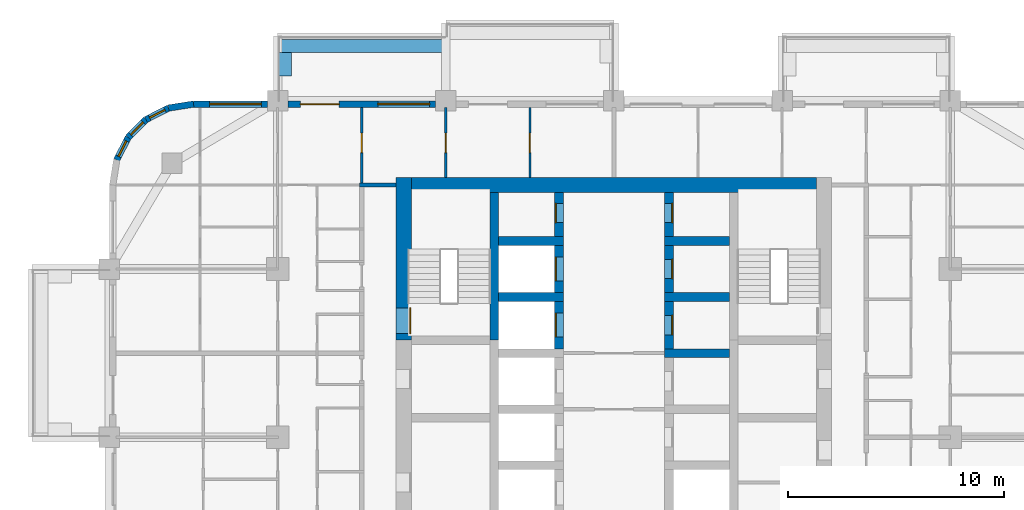
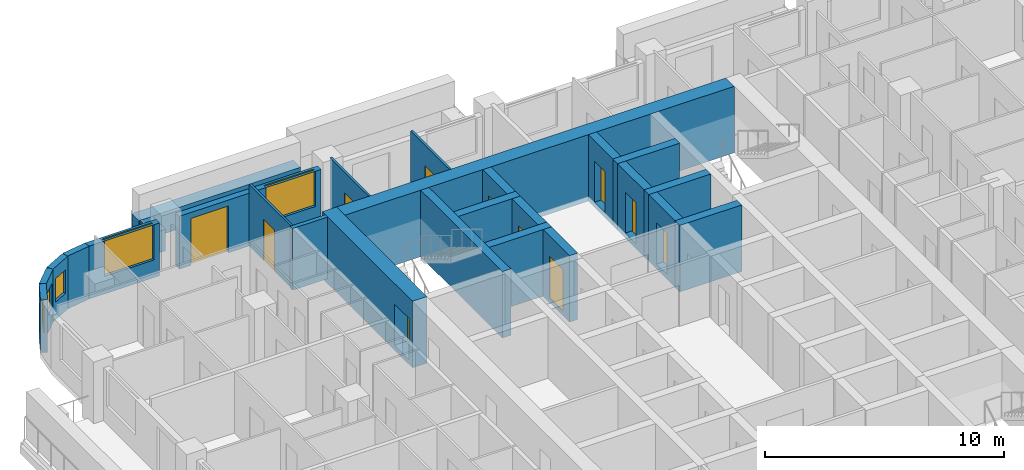
# One storey, part 11 of 18: 26 walls, 11 doors, 5 windows, 16 openings.
"""IFC4 building model written with IfcOpenShell, lengths in metres."""

from ifc_helpers import new_model, si_unit, direction, frame, frame_2d, origin, place, context, subcontext, project, spatial, rectangle, extrude, material, layer, layer_set, type_object, element, fill, save


model = new_model("IFC4")

# Units and contexts
model_context = context("Model", 3, precision=1e-05, world=origin(), true_north=direction((0.0, 1.0)))
body_context = subcontext(model_context, "Body", "Model", "MODEL_VIEW")
ifc_project = project(units=[si_unit("LENGTHUNIT", "METRE"), si_unit("AREAUNIT", "SQUARE_METRE"), si_unit("VOLUMEUNIT", "CUBIC_METRE"), si_unit("PLANEANGLEUNIT", "RADIAN"), si_unit("MASSUNIT", "GRAM", prefix="KILO")], contexts=[model_context])

# Site, building, storey
site_placement = place(None, origin())
site = spatial("IfcSite", under=ifc_project, at=site_placement, CompositionType="ELEMENT")
building_placement = place(site_placement, origin())
building = spatial("IfcBuilding", under=site, at=building_placement, Name="Ludao Terraces", CompositionType="ELEMENT")
storey_placement = place(building_placement, frame((0.0, 0.0, 64.800048828125)))
storey = spatial("IfcBuildingStorey", under=building, at=storey_placement, Name="L17", CompositionType="ELEMENT", Elevation=64.800048828125)

# Wall, opening, door
ifc_material_1 = material(Name="Concrete C70", Category="concrete")
ifc_layer_1 = layer(ifc_material_1, 0.699951171875)
ifc_layer_set_1 = layer_set([ifc_layer_1], Name="Core wall 700 C70")
wall_type_1 = type_object("IfcWallType", Name="Core wall 700 C70", PredefinedType="SOLIDWALL", material=ifc_layer_set_1)
wall_1_placement = place(storey_placement, frame((75.25, 77.300048828125, -0.25), z_axis=(0.0, 0.0, 1.0), x_axis=(0.0, 1.0, 0.0)))
wall_1 = element("IfcWall", 1, at=wall_1_placement, inside=storey, type_object=wall_type_1, Name="Core wall L17 outer-W-S1", PredefinedType="SOLIDWALL", context=body_context, shape_type="SweptSolid", body=[
    extrude(rectangle(XDim=7.550048828125, YDim=0.699951171875, at=frame_2d((3.77490234375, 0.0))), origin(), (0.0, 0.0, 1.0), 3.39990234375),
])
opening_1_placement = place(wall_1_placement, frame((0.300048828125, 0.0, 0.25)))
opening_1 = element("IfcOpeningElement", 2, at=opening_1_placement, cuts=wall_1, Name="Opening R05-135", PredefinedType="OPENING", context=body_context, shape_type="SweptSolid", body=[
    extrude(rectangle(XDim=1.199951171875, YDim=2.10009765625, at=frame_2d((0.60009765625, 1.050048828125))), frame((0.0, 0.35986328125, 0.0), z_axis=(0.0, -1.0, 0.0), x_axis=(1.0, 0.0, 0.0)), (0.0, 0.0, 1.0), 0.719970703125),
])
ifc_material_2 = material(Name="Steel Q235", Category="steel")
door_type_1 = type_object("IfcDoorType", Name="INT Stair door 1200", OperationType="DOUBLE_DOOR_SINGLE_SWING", PredefinedType="DOOR", material=ifc_material_2)
door_1_placement = place(opening_1_placement, origin())
door_1 = element("IfcDoor", 3, at=door_1_placement, inside=storey, type_object=door_type_1, Name="DOOR 135", OperationType="DOUBLE_DOOR_SINGLE_SWING", OverallHeight=2.10009765625, OverallWidth=1.199951171875, PredefinedType="DOOR", context=body_context, shape_type="SweptSolid", body=[
    extrude(rectangle(XDim=1.199951171875, YDim=2.10009765625, at=frame_2d((0.60009765625, 1.050048828125))), frame((0.0, -0.28515625, 0.0), z_axis=(0.0, -1.0, 0.0), x_axis=(1.0, 0.0, 0.0)), (0.0, 0.0, 1.0), 0.050048828125),
])
fill(opening_1, door_1)

# Walls
wall_2_placement = place(storey_placement, frame((75.60009765625, 84.5, -0.25), z_axis=(0.0, 0.0, 1.0), x_axis=(1.0, 0.0, 0.0)))
element("IfcWall", 4, at=wall_2_placement, inside=storey, type_object=wall_type_1, Name="Core wall L17 outer-N", PredefinedType="SOLIDWALL", context=body_context, shape_type="SweptSolid", body=[
    extrude(rectangle(XDim=18.7998046875, YDim=0.699951171875, at=frame_2d((9.39990234375, 0.0))), origin(), (0.0, 0.0, 1.0), 3.39990234375),
])
ifc_material_3 = material(Name="Concrete C40", Category="concrete")
ifc_layer_2 = layer(ifc_material_3, 0.60009765625)
ifc_layer_set_2 = layer_set([ifc_layer_2], Name="ENV Planter trough 600")
wall_type_2 = type_object("IfcWallType", Name="ENV Planter trough 600", PredefinedType="USERDEFINED", material=ifc_layer_set_2)
wall_3_placement = place(storey_placement, frame((69.39990234375, 90.949951171875, 0.0), z_axis=(0.0, 0.0, 1.0), x_axis=(1.0, 0.0, 0.0)))
element("IfcWall", 5, at=wall_3_placement, inside=storey, type_object=wall_type_2, Name="PL-L17-N1", ObjectType="PLANTER", PredefinedType="USERDEFINED", context=body_context, shape_type="SweptSolid", body=[
    extrude(rectangle(XDim=7.800048828125, YDim=0.60009765625, at=frame_2d((3.89990234375, 0.0))), origin(), (0.0, 0.0, 1.0), 1.099853515625),
])
wall_4_placement = place(storey_placement, frame((69.75, 90.64990234375, 0.0), z_axis=(0.0, 0.0, 1.0), x_axis=(0.0, -1.0, 0.0)))
element("IfcWall", 6, at=wall_4_placement, inside=storey, type_object=wall_type_2, Name="PL-L17-N1-SA", ObjectType="PLANTER", PredefinedType="USERDEFINED", context=body_context, shape_type="SweptSolid", body=[
    extrude(rectangle(XDim=1.099853515625, YDim=0.60009765625, at=frame_2d((0.5498046875, 0.0))), origin(), (0.0, 0.0, 1.0), 1.099853515625),
])

# Wall, opening, window
ifc_material_4 = material(Name="Granite cladding", Category="masonry")
ifc_layer_3 = layer(ifc_material_4, 0.0400390625, Category="stone")
ifc_material_5 = material(Name="Mineral wool")
ifc_layer_4 = layer(ifc_material_5, 0.06005859375)
ifc_layer_5 = layer(ifc_material_3, 0.199951171875, Category="concrete")
ifc_layer_set_3 = layer_set([ifc_layer_3, ifc_layer_4, ifc_layer_5], Name="ENV Stone-clad wall 300")
wall_type_3 = type_object("IfcWallType", Name="ENV Stone-clad wall 300", PredefinedType="SOLIDWALL", material=ifc_layer_set_3)
wall_5_placement = place(storey_placement, frame((65.5, 88.25, 0.0), z_axis=(0.0, 0.0, 1.0), x_axis=(1.0, 0.0, 0.0)))
wall_5 = element("IfcWall", 7, at=wall_5_placement, inside=storey, type_object=wall_type_3, Name="EW-L17-N1", PredefinedType="SOLIDWALL", context=body_context, shape_type="SweptSolid", body=[
    extrude(rectangle(XDim=3.425048828125, YDim=0.300048828125, at=frame_2d((1.71240234375, 0.0))), origin(), (0.0, 0.0, 1.0), 2.699951171875),
])
opening_2_placement = place(wall_5_placement, frame((0.75, 0.0, 0.89990234375)))
opening_2 = element("IfcOpeningElement", 8, at=opening_2_placement, cuts=wall_5, Name="Opening W1", PredefinedType="OPENING", context=body_context, shape_type="SweptSolid", body=[
    extrude(rectangle(XDim=2.39990234375, YDim=1.800048828125, at=frame_2d((1.199951171875, 0.89990234375))), frame((0.0, 0.16015625, 0.0), z_axis=(0.0, -1.0, 0.0), x_axis=(1.0, 0.0, 0.0)), (0.0, 0.0, 1.0), 0.320068359375),
])
ifc_material_6 = material(Name="Clear glass in aluminium frame", Category="aluminium")
ifc_layer_6 = layer(ifc_material_6, 0.06005859375)
ifc_layer_set_4 = layer_set([ifc_layer_6], Name="ENV Window W1 2400x1800")
window_type_1 = type_object("IfcWindowType", Name="ENV Window W1 2400x1800", PartitioningType="DOUBLE_PANEL_VERTICAL", PredefinedType="WINDOW", material=ifc_layer_set_4)
window_1_placement = place(opening_2_placement, origin())
window_1 = element("IfcWindow", 9, at=window_1_placement, inside=storey, type_object=window_type_1, Name="W-L17-N1-1", OverallHeight=1.800048828125, OverallWidth=2.39990234375, PartitioningType="DOUBLE_PANEL_VERTICAL", PredefinedType="WINDOW", context=body_context, shape_type="SweptSolid", body=[
    extrude(rectangle(XDim=2.39990234375, YDim=1.800048828125, at=frame_2d((1.199951171875, 0.89990234375))), frame((0.0, 0.030029296875, 0.0), z_axis=(0.0, -1.0, 0.0), x_axis=(1.0, 0.0, 0.0)), (0.0, 0.0, 1.0), 0.06005859375),
])
fill(opening_2, window_1)

# Wall, openings, door, window
wall_6_placement = place(storey_placement, frame((69.875, 88.25, 0.0), z_axis=(0.0, 0.0, 1.0), x_axis=(1.0, 0.0, 0.0)))
wall_6 = element("IfcWall", 10, at=wall_6_placement, inside=storey, type_object=wall_type_3, Name="EW-L17-N2", PredefinedType="SOLIDWALL", context=body_context, shape_type="SweptSolid", body=[
    extrude(rectangle(XDim=6.85009765625, YDim=0.300048828125, at=frame_2d((3.425048828125, 0.0))), origin(), (0.0, 0.0, 1.0), 2.699951171875),
])
opening_3_placement = place(wall_6_placement, frame((0.574951171875, 0.0, 0.0)))
opening_3 = element("IfcOpeningElement", 11, at=opening_3_placement, cuts=wall_6, Name="Opening BD", PredefinedType="OPENING", context=body_context, shape_type="SweptSolid", body=[
    extrude(rectangle(XDim=1.800048828125, YDim=2.39990234375, at=frame_2d((0.89990234375, 1.199951171875))), frame((0.0, 0.16015625, 0.0), z_axis=(0.0, -1.0, 0.0), x_axis=(1.0, 0.0, 0.0)), (0.0, 0.0, 1.0), 0.320068359375),
])
opening_4_placement = place(wall_6_placement, frame((4.175048828125, 0.0, 0.89990234375)))
opening_4 = element("IfcOpeningElement", 12, at=opening_4_placement, cuts=wall_6, Name="Opening W1", PredefinedType="OPENING", context=body_context, shape_type="SweptSolid", body=[
    extrude(rectangle(XDim=2.39990234375, YDim=1.800048828125, at=frame_2d((1.199951171875, 0.89990234375))), frame((0.0, 0.16015625, 0.0), z_axis=(0.0, -1.0, 0.0), x_axis=(1.0, 0.0, 0.0)), (0.0, 0.0, 1.0), 0.320068359375),
])
ifc_material_7 = material(Name="Aluminium glazed door", Category="aluminium")
ifc_layer_7 = layer(ifc_material_7, 0.06005859375)
ifc_layer_set_5 = layer_set([ifc_layer_7], Name="ENV Balcony door BD 1800x2400")
door_type_2 = type_object("IfcDoorType", Name="ENV Balcony door BD 1800x2400", OperationType="DOUBLE_DOOR_SINGLE_SWING", PredefinedType="DOOR", material=ifc_layer_set_5)
door_2_placement = place(opening_3_placement, origin())
door_2 = element("IfcDoor", 13, at=door_2_placement, inside=storey, type_object=door_type_2, Name="BD-L17-N2-1", OperationType="DOUBLE_DOOR_SINGLE_SWING", OverallHeight=2.39990234375, OverallWidth=1.800048828125, PredefinedType="DOOR", context=body_context, shape_type="SweptSolid", body=[
    extrude(rectangle(XDim=1.800048828125, YDim=2.39990234375, at=frame_2d((0.89990234375, 1.199951171875))), frame((0.0, 0.02490234375, 0.0), z_axis=(0.0, -1.0, 0.0), x_axis=(1.0, 0.0, 0.0)), (0.0, 0.0, 1.0), 0.050048828125),
])
fill(opening_3, door_2)
window_2_placement = place(opening_4_placement, origin())
window_2 = element("IfcWindow", 14, at=window_2_placement, inside=storey, type_object=window_type_1, Name="W-L17-N2-2", OverallHeight=1.800048828125, OverallWidth=2.39990234375, PartitioningType="DOUBLE_PANEL_VERTICAL", PredefinedType="WINDOW", context=body_context, shape_type="SweptSolid", body=[
    extrude(rectangle(XDim=2.39990234375, YDim=1.800048828125, at=frame_2d((1.199951171875, 0.89990234375))), frame((0.0, 0.030029296875, 0.0), z_axis=(0.0, -1.0, 0.0), x_axis=(1.0, 0.0, 0.0)), (0.0, 0.0, 1.0), 0.06005859375),
])
fill(opening_4, window_2)

# Wall
wall_7_placement = place(storey_placement, frame((65.5, 88.25, 0.0), z_axis=(0.0, 0.0, 1.0), x_axis=(-0.987678452879, -0.156496880861, 0.0)))
element("IfcWall", 15, at=wall_7_placement, inside=storey, type_object=wall_type_3, Name="EW-L17-NW1", PredefinedType="SOLIDWALL", context=body_context, shape_type="SweptSolid", body=[
    extrude(rectangle(XDim=1.173095703125, YDim=0.300048828125, at=frame_2d((0.58642578125, 0.0))), origin(), (0.0, 0.0, 1.0), 2.699951171875),
])

# Wall, opening, window
wall_8_placement = place(storey_placement, frame((64.34130859375, 88.06640625, 0.0), z_axis=(0.0, 0.0, 1.0), x_axis=(-0.890988677504, -0.454025524128, 0.0)))
wall_8 = element("IfcWall", 16, at=wall_8_placement, inside=storey, type_object=wall_type_3, Name="EW-L17-NW2", PredefinedType="SOLIDWALL", context=body_context, shape_type="SweptSolid", body=[
    extrude(rectangle(XDim=1.17333984375, YDim=0.300048828125, at=frame_2d((0.586669921875, 0.0))), origin(), (0.0, 0.0, 1.0), 2.699951171875),
])
opening_5_placement = place(wall_8_placement, frame((0.1865234375, 0.0, 0.89990234375)))
opening_5 = element("IfcOpeningElement", 17, at=opening_5_placement, cuts=wall_8, Name="Opening W3", PredefinedType="OPENING", context=body_context, shape_type="SweptSolid", body=[
    extrude(rectangle(XDim=0.800048828125, YDim=1.199951171875, at=frame_2d((0.39990234375, 0.60009765625))), frame((0.0, 0.16015625, 0.0), z_axis=(0.0, -1.0, 0.0), x_axis=(1.0, 0.0, 0.0)), (0.0, 0.0, 1.0), 0.320068359375),
])
ifc_layer_8 = layer(ifc_material_6, 0.06005859375)
ifc_layer_set_6 = layer_set([ifc_layer_8], Name="ENV Window W3 800x1200")
window_type_2 = type_object("IfcWindowType", Name="ENV Window W3 800x1200", PartitioningType="SINGLE_PANEL", PredefinedType="WINDOW", material=ifc_layer_set_6)
window_3_placement = place(opening_5_placement, origin())
window_3 = element("IfcWindow", 18, at=window_3_placement, inside=storey, type_object=window_type_2, Name="W-L17-NW2", OverallHeight=1.199951171875, OverallWidth=0.800048828125, PartitioningType="SINGLE_PANEL", PredefinedType="WINDOW", context=body_context, shape_type="SweptSolid", body=[
    extrude(rectangle(XDim=0.800048828125, YDim=1.199951171875, at=frame_2d((0.39990234375, 0.60009765625))), frame((0.0, 0.030029296875, 0.0), z_axis=(0.0, -1.0, 0.0), x_axis=(1.0, 0.0, 0.0)), (0.0, 0.0, 1.0), 0.06005859375),
])
fill(opening_5, window_3)

wall_9_placement = place(storey_placement, frame((63.2958984375, 87.53369140625, 0.0), z_axis=(0.0, 0.0, 1.0), x_axis=(-0.707106781187, -0.707106781187, 0.0)))
wall_9 = element("IfcWall", 19, at=wall_9_placement, inside=storey, type_object=wall_type_3, Name="EW-L17-NW3", PredefinedType="SOLIDWALL", context=body_context, shape_type="SweptSolid", body=[
    extrude(rectangle(XDim=1.173095703125, YDim=0.300048828125, at=frame_2d((0.58642578125, 0.0))), origin(), (0.0, 0.0, 1.0), 2.699951171875),
])
opening_6_placement = place(wall_9_placement, frame((0.1865234375, 0.0, 0.89990234375)))
opening_6 = element("IfcOpeningElement", 20, at=opening_6_placement, cuts=wall_9, Name="Opening W3", PredefinedType="OPENING", context=body_context, shape_type="SweptSolid", body=[
    extrude(rectangle(XDim=0.800048828125, YDim=1.199951171875, at=frame_2d((0.39990234375, 0.60009765625))), frame((0.0, 0.16015625, 0.0), z_axis=(0.0, -1.0, 0.0), x_axis=(1.0, 0.0, 0.0)), (0.0, 0.0, 1.0), 0.320068359375),
])
window_4_placement = place(opening_6_placement, origin())
window_4 = element("IfcWindow", 21, at=window_4_placement, inside=storey, type_object=window_type_2, Name="W-L17-NW3", OverallHeight=1.199951171875, OverallWidth=0.800048828125, PartitioningType="SINGLE_PANEL", PredefinedType="WINDOW", context=body_context, shape_type="SweptSolid", body=[
    extrude(rectangle(XDim=0.800048828125, YDim=1.199951171875, at=frame_2d((0.39990234375, 0.60009765625))), frame((0.0, 0.030029296875, 0.0), z_axis=(0.0, -1.0, 0.0), x_axis=(1.0, 0.0, 0.0)), (0.0, 0.0, 1.0), 0.06005859375),
])
fill(opening_6, window_4)

wall_10_placement = place(storey_placement, frame((62.46630859375, 86.7041015625, 0.0), z_axis=(0.0, 0.0, 1.0), x_axis=(-0.454025524128, -0.890988677504, 0.0)))
wall_10 = element("IfcWall", 22, at=wall_10_placement, inside=storey, type_object=wall_type_3, Name="EW-L17-NW4", PredefinedType="SOLIDWALL", context=body_context, shape_type="SweptSolid", body=[
    extrude(rectangle(XDim=1.17333984375, YDim=0.300048828125, at=frame_2d((0.586669921875, 0.0))), origin(), (0.0, 0.0, 1.0), 2.699951171875),
])
opening_7_placement = place(wall_10_placement, frame((0.1865234375, 0.0, 0.89990234375)))
opening_7 = element("IfcOpeningElement", 23, at=opening_7_placement, cuts=wall_10, Name="Opening W3", PredefinedType="OPENING", context=body_context, shape_type="SweptSolid", body=[
    extrude(rectangle(XDim=0.800048828125, YDim=1.199951171875, at=frame_2d((0.39990234375, 0.60009765625))), frame((0.0, 0.16015625, 0.0), z_axis=(0.0, -1.0, 0.0), x_axis=(1.0, 0.0, 0.0)), (0.0, 0.0, 1.0), 0.320068359375),
])
window_5_placement = place(opening_7_placement, origin())
window_5 = element("IfcWindow", 24, at=window_5_placement, inside=storey, type_object=window_type_2, Name="W-L17-NW4", OverallHeight=1.199951171875, OverallWidth=0.800048828125, PartitioningType="SINGLE_PANEL", PredefinedType="WINDOW", context=body_context, shape_type="SweptSolid", body=[
    extrude(rectangle(XDim=0.800048828125, YDim=1.199951171875, at=frame_2d((0.39990234375, 0.60009765625))), frame((0.0, 0.030029296875, 0.0), z_axis=(0.0, -1.0, 0.0), x_axis=(1.0, 0.0, 0.0)), (0.0, 0.0, 1.0), 0.06005859375),
])
fill(opening_7, window_5)

# Wall
ifc_material_8 = material(Name="Autoclaved aerated concrete block B06 A3.5", Category="concrete")
ifc_layer_9 = layer(ifc_material_8, 0.199951171875)
ifc_layer_set_7 = layer_set([ifc_layer_9], Name="INT Entrance wall 200")
wall_type_4 = type_object("IfcWallType", Name="INT Entrance wall 200", PredefinedType="PARTITIONING", material=ifc_layer_set_7)
wall_11_placement = place(storey_placement, frame((73.2001953125, 84.5, 0.0), z_axis=(0.0, 0.0, 1.0), x_axis=(1.0, 0.0, 0.0)))
element("IfcWall", 25, at=wall_11_placement, inside=storey, type_object=wall_type_4, Name="PW-L17-PW078", PredefinedType="PARTITIONING", context=body_context, shape_type="SweptSolid", body=[
    extrude(rectangle(XDim=1.699951171875, YDim=0.199951171875, at=frame_2d((0.85009765625, 0.0))), origin(), (0.0, 0.0, 1.0), 3.14990234375),
])

# Wall, opening, door
ifc_material_9 = material(Name="Gypsum plasterboard", Category="gypsum")
ifc_layer_10 = layer(ifc_material_9, 0.012451171875, Category="gypsum")
ifc_layer_11 = layer(ifc_material_5, 0.06005859375, Name="insulation")
ifc_layer_12 = layer(ifc_material_2, 0.014892578125, Name="stud")
ifc_layer_13 = layer(ifc_material_9, 0.012451171875, Category="gypsum")
ifc_layer_set_8 = layer_set([ifc_layer_10, ifc_layer_11, ifc_layer_12, ifc_layer_13], Name="INT Partition 100")
wall_type_5 = type_object("IfcWallType", Name="INT Partition 100", PredefinedType="PARTITIONING", material=ifc_layer_set_8)
wall_12_placement = place(storey_placement, frame((73.300048828125, 84.60009765625, 0.0), z_axis=(0.0, 0.0, 1.0), x_axis=(0.0, 1.0, 0.0)))
wall_12 = element("IfcWall", 26, at=wall_12_placement, inside=storey, type_object=wall_type_5, Name="PW-L17-PW093", PredefinedType="PARTITIONING", context=body_context, shape_type="SweptSolid", body=[
    extrude(rectangle(XDim=3.5, YDim=0.10009765625, at=frame_2d((1.75, 0.0))), origin(), (0.0, 0.0, 1.0), 3.14990234375),
])
opening_8_placement = place(wall_12_placement, frame((1.39990234375, 0.0, 0.0)))
opening_8 = element("IfcOpeningElement", 27, at=opening_8_placement, cuts=wall_12, Name="Opening R05-161", PredefinedType="OPENING", context=body_context, shape_type="SweptSolid", body=[
    extrude(rectangle(XDim=0.89990234375, YDim=2.10009765625, at=frame_2d((0.449951171875, 1.050048828125))), frame((0.0, 0.06005859375, 0.0), z_axis=(0.0, -1.0, 0.0), x_axis=(1.0, 0.0, 0.0)), (0.0, 0.0, 1.0), 0.1201171875),
])
ifc_material_10 = material(Name="Timber door leaf", Category="wood")
door_type_3 = type_object("IfcDoorType", Name="INT Room door 900", OperationType="SINGLE_SWING_LEFT", PredefinedType="DOOR", material=ifc_material_10)
door_3_placement = place(opening_8_placement, origin())
door_3 = element("IfcDoor", 28, at=door_3_placement, inside=storey, type_object=door_type_3, Name="DOOR 161", OperationType="SINGLE_SWING_LEFT", OverallHeight=2.10009765625, OverallWidth=0.89990234375, PredefinedType="DOOR", context=body_context, shape_type="SweptSolid", body=[
    extrude(rectangle(XDim=0.89990234375, YDim=2.10009765625, at=frame_2d((0.449951171875, 1.050048828125))), frame((0.0, 0.02490234375, 0.0), z_axis=(0.0, -1.0, 0.0), x_axis=(1.0, 0.0, 0.0)), (0.0, 0.0, 1.0), 0.050048828125),
])
fill(opening_8, door_3)

wall_13_placement = place(storey_placement, frame((77.199951171875, 84.85009765625, 0.0), z_axis=(0.0, 0.0, 1.0), x_axis=(0.0, 1.0, 0.0)))
wall_13 = element("IfcWall", 29, at=wall_13_placement, inside=storey, type_object=wall_type_5, Name="PW-L17-PW097", PredefinedType="PARTITIONING", context=body_context, shape_type="SweptSolid", body=[
    extrude(rectangle(XDim=3.25, YDim=0.10009765625, at=frame_2d((1.625, 0.0))), origin(), (0.0, 0.0, 1.0), 3.14990234375),
])
opening_9_placement = place(wall_13_placement, frame((1.14990234375, 0.0, 0.0)))
opening_9 = element("IfcOpeningElement", 30, at=opening_9_placement, cuts=wall_13, Name="Opening R05-162", PredefinedType="OPENING", context=body_context, shape_type="SweptSolid", body=[
    extrude(rectangle(XDim=0.89990234375, YDim=2.10009765625, at=frame_2d((0.449951171875, 1.050048828125))), frame((0.0, 0.06005859375, 0.0), z_axis=(0.0, -1.0, 0.0), x_axis=(1.0, 0.0, 0.0)), (0.0, 0.0, 1.0), 0.1201171875),
])
door_4_placement = place(opening_9_placement, origin())
door_4 = element("IfcDoor", 31, at=door_4_placement, inside=storey, type_object=door_type_3, Name="DOOR 162", OperationType="SINGLE_SWING_RIGHT", OverallHeight=2.10009765625, OverallWidth=0.89990234375, PredefinedType="DOOR", context=body_context, shape_type="SweptSolid", body=[
    extrude(rectangle(XDim=0.89990234375, YDim=2.10009765625, at=frame_2d((0.449951171875, 1.050048828125))), frame((0.0, 0.02490234375, 0.0), z_axis=(0.0, -1.0, 0.0), x_axis=(1.0, 0.0, 0.0)), (0.0, 0.0, 1.0), 0.050048828125),
])
fill(opening_9, door_4)

wall_14_placement = place(storey_placement, frame((81.10009765625, 84.85009765625, 0.0), z_axis=(0.0, 0.0, 1.0), x_axis=(0.0, 1.0, 0.0)))
wall_14 = element("IfcWall", 32, at=wall_14_placement, inside=storey, type_object=wall_type_5, Name="PW-L17-PW102", PredefinedType="PARTITIONING", context=body_context, shape_type="SweptSolid", body=[
    extrude(rectangle(XDim=3.25, YDim=0.10009765625, at=frame_2d((1.625, 0.0))), origin(), (0.0, 0.0, 1.0), 3.14990234375),
])
opening_10_placement = place(wall_14_placement, frame((1.14990234375, 0.0, 0.0)))
opening_10 = element("IfcOpeningElement", 33, at=opening_10_placement, cuts=wall_14, Name="Opening R05-163", PredefinedType="OPENING", context=body_context, shape_type="SweptSolid", body=[
    extrude(rectangle(XDim=0.89990234375, YDim=2.10009765625, at=frame_2d((0.449951171875, 1.050048828125))), frame((0.0, 0.06005859375, 0.0), z_axis=(0.0, -1.0, 0.0), x_axis=(1.0, 0.0, 0.0)), (0.0, 0.0, 1.0), 0.1201171875),
])
door_5_placement = place(opening_10_placement, origin())
door_5 = element("IfcDoor", 34, at=door_5_placement, inside=storey, type_object=door_type_3, Name="DOOR 163", OperationType="SINGLE_SWING_RIGHT", OverallHeight=2.10009765625, OverallWidth=0.89990234375, PredefinedType="DOOR", context=body_context, shape_type="SweptSolid", body=[
    extrude(rectangle(XDim=0.89990234375, YDim=2.10009765625, at=frame_2d((0.449951171875, 1.050048828125))), frame((0.0, 0.02490234375, 0.0), z_axis=(0.0, -1.0, 0.0), x_axis=(1.0, 0.0, 0.0)), (0.0, 0.0, 1.0), 0.050048828125),
])
fill(opening_10, door_5)

# Wall
ifc_material_11 = material(Name="Concrete C60", Category="concrete")
ifc_layer_14 = layer(ifc_material_11, 0.39990234375)
ifc_layer_set_9 = layer_set([ifc_layer_14], Name="Shaft wall 400 C60")
wall_type_6 = type_object("IfcWallType", Name="Shaft wall 400 C60", PredefinedType="SOLIDWALL", material=ifc_layer_set_9)
wall_15_placement = place(storey_placement, frame((79.449951171875, 77.300048828125, -0.25), z_axis=(0.0, 0.0, 1.0), x_axis=(0.0, 1.0, 0.0)))
element("IfcWall", 35, at=wall_15_placement, inside=storey, type_object=wall_type_6, Name="Core wall L17 back-W-S1", PredefinedType="SOLIDWALL", context=body_context, shape_type="SweptSolid", body=[
    extrude(rectangle(XDim=6.849853515625, YDim=0.39990234375, at=frame_2d((3.4248046875, 0.0))), origin(), (0.0, 0.0, 1.0), 3.39990234375),
])

# Wall, opening, door
wall_16_placement = place(storey_placement, frame((82.449951171875, 76.89990234375, -0.25), z_axis=(0.0, 0.0, 1.0), x_axis=(0.0, 1.0, 0.0)))
wall_16 = element("IfcWall", 36, at=wall_16_placement, inside=storey, type_object=wall_type_6, Name="Core wall L17 front-W7", PredefinedType="SOLIDWALL", context=body_context, shape_type="SweptSolid", body=[
    extrude(rectangle(XDim=2.2001953125, YDim=0.39990234375, at=frame_2d((1.10009765625, 0.0))), origin(), (0.0, 0.0, 1.0), 3.39990234375),
])
opening_11_placement = place(wall_16_placement, frame((0.550048828125, 0.0, 0.25)))
opening_11 = element("IfcOpeningElement", 37, at=opening_11_placement, cuts=wall_16, Name="Opening LD-FF1", PredefinedType="OPENING", context=body_context, shape_type="SweptSolid", body=[
    extrude(rectangle(XDim=1.10009765625, YDim=2.10009765625, at=frame_2d((0.550048828125, 1.050048828125))), frame((0.0, 0.2099609375, 0.0), z_axis=(0.0, -1.0, 0.0), x_axis=(1.0, 0.0, 0.0)), (0.0, 0.0, 1.0), 0.419921875),
])
ifc_material_12 = material(Name="Stainless steel 304", Category="steel")
door_type_4 = type_object("IfcDoorType", Name="INT Lift landing door 1100", OperationType="SLIDING_TO_LEFT", PredefinedType="DOOR", material=ifc_material_12)
door_6_placement = place(opening_11_placement, origin())
door_6 = element("IfcDoor", 38, at=door_6_placement, inside=storey, type_object=door_type_4, Name="LANDING DOOR FF1 L17", OperationType="SLIDING_TO_LEFT", OverallHeight=2.10009765625, OverallWidth=1.10009765625, PredefinedType="DOOR", context=body_context, shape_type="SweptSolid", body=[
    extrude(rectangle(XDim=1.10009765625, YDim=2.10009765625, at=frame_2d((0.550048828125, 1.050048828125))), frame((0.0, 0.18505859375, 0.0), z_axis=(0.0, -1.0, 0.0), x_axis=(1.0, 0.0, 0.0)), (0.0, 0.0, 1.0), 0.050048828125),
])
fill(opening_11, door_6)

# Wall
wall_17_placement = place(storey_placement, frame((79.64990234375, 79.300048828125, -0.25), z_axis=(0.0, 0.0, 1.0), x_axis=(1.0, 0.0, 0.0)))
element("IfcWall", 39, at=wall_17_placement, inside=storey, type_object=wall_type_6, Name="Core wall L17 div-W8", PredefinedType="SOLIDWALL", context=body_context, shape_type="SweptSolid", body=[
    extrude(rectangle(XDim=3.0, YDim=0.39990234375, at=frame_2d((1.5, 0.0))), origin(), (0.0, 0.0, 1.0), 3.39990234375),
])

# Wall, opening, door
wall_18_placement = place(storey_placement, frame((82.449951171875, 79.5, -0.25), z_axis=(0.0, 0.0, 1.0), x_axis=(0.0, 1.0, 0.0)))
wall_18 = element("IfcWall", 40, at=wall_18_placement, inside=storey, type_object=wall_type_6, Name="Core wall L17 front-W8", PredefinedType="SOLIDWALL", context=body_context, shape_type="SweptSolid", body=[
    extrude(rectangle(XDim=2.199951171875, YDim=0.39990234375, at=frame_2d((1.10009765625, 0.0))), origin(), (0.0, 0.0, 1.0), 3.39990234375),
])
opening_12_placement = place(wall_18_placement, frame((0.550048828125, 0.0, 0.25)))
opening_12 = element("IfcOpeningElement", 41, at=opening_12_placement, cuts=wall_18, Name="Opening LD-FF2", PredefinedType="OPENING", context=body_context, shape_type="SweptSolid", body=[
    extrude(rectangle(XDim=1.10009765625, YDim=2.10009765625, at=frame_2d((0.550048828125, 1.050048828125))), frame((0.0, 0.2099609375, 0.0), z_axis=(0.0, -1.0, 0.0), x_axis=(1.0, 0.0, 0.0)), (0.0, 0.0, 1.0), 0.419921875),
])
door_7_placement = place(opening_12_placement, origin())
door_7 = element("IfcDoor", 42, at=door_7_placement, inside=storey, type_object=door_type_4, Name="LANDING DOOR FF2 L17", OperationType="SLIDING_TO_LEFT", OverallHeight=2.10009765625, OverallWidth=1.10009765625, PredefinedType="DOOR", context=body_context, shape_type="SweptSolid", body=[
    extrude(rectangle(XDim=1.10009765625, YDim=2.10009765625, at=frame_2d((0.550048828125, 1.050048828125))), frame((0.0, 0.18505859375, 0.0), z_axis=(0.0, -1.0, 0.0), x_axis=(1.0, 0.0, 0.0)), (0.0, 0.0, 1.0), 0.050048828125),
])
fill(opening_12, door_7)

# Wall
wall_19_placement = place(storey_placement, frame((79.64990234375, 81.89990234375, -0.25), z_axis=(0.0, 0.0, 1.0), x_axis=(1.0, 0.0, 0.0)))
element("IfcWall", 43, at=wall_19_placement, inside=storey, type_object=wall_type_6, Name="Core wall L17 div-W9", PredefinedType="SOLIDWALL", context=body_context, shape_type="SweptSolid", body=[
    extrude(rectangle(XDim=3.0, YDim=0.39990234375, at=frame_2d((1.5, 0.0))), origin(), (0.0, 0.0, 1.0), 3.39990234375),
])

# Wall, opening, door
wall_20_placement = place(storey_placement, frame((82.449951171875, 82.10009765625, -0.25), z_axis=(0.0, 0.0, 1.0), x_axis=(0.0, 1.0, 0.0)))
wall_20 = element("IfcWall", 44, at=wall_20_placement, inside=storey, type_object=wall_type_6, Name="Core wall L17 front-W9", PredefinedType="SOLIDWALL", context=body_context, shape_type="SweptSolid", body=[
    extrude(rectangle(XDim=2.0498046875, YDim=0.39990234375, at=frame_2d((1.02490234375, 0.0))), origin(), (0.0, 0.0, 1.0), 3.39990234375),
])
opening_13_placement = place(wall_20_placement, frame((0.64990234375, 0.0, 0.25)))
opening_13 = element("IfcOpeningElement", 45, at=opening_13_placement, cuts=wall_20, Name="Opening R05-149", PredefinedType="OPENING", context=body_context, shape_type="SweptSolid", body=[
    extrude(rectangle(XDim=0.89990234375, YDim=2.10009765625, at=frame_2d((0.449951171875, 1.050048828125))), frame((0.0, 0.2099609375, 0.0), z_axis=(0.0, -1.0, 0.0), x_axis=(1.0, 0.0, 0.0)), (0.0, 0.0, 1.0), 0.419921875),
])
door_8_placement = place(opening_13_placement, origin())
door_8 = element("IfcDoor", 46, at=door_8_placement, inside=storey, type_object=door_type_3, Name="DOOR 149", OperationType="SINGLE_SWING_RIGHT", OverallHeight=2.10009765625, OverallWidth=0.89990234375, PredefinedType="DOOR", context=body_context, shape_type="SweptSolid", body=[
    extrude(rectangle(XDim=0.89990234375, YDim=2.10009765625, at=frame_2d((0.449951171875, 1.050048828125))), frame((0.0, 0.18505859375, 0.0), z_axis=(0.0, -1.0, 0.0), x_axis=(1.0, 0.0, 0.0)), (0.0, 0.0, 1.0), 0.050048828125),
])
fill(opening_13, door_8)

# Wall
wall_21_placement = place(storey_placement, frame((87.35009765625, 76.699951171875, -0.25), z_axis=(0.0, 0.0, 1.0), x_axis=(1.0, 0.0, 0.0)))
element("IfcWall", 47, at=wall_21_placement, inside=storey, type_object=wall_type_6, Name="Core wall L17 div-E7", PredefinedType="SOLIDWALL", context=body_context, shape_type="SweptSolid", body=[
    extrude(rectangle(XDim=3.0, YDim=0.39990234375, at=frame_2d((1.5, 0.0))), origin(), (0.0, 0.0, 1.0), 3.39990234375),
])

# Wall, opening, door
wall_22_placement = place(storey_placement, frame((87.550048828125, 76.89990234375, -0.25), z_axis=(0.0, 0.0, 1.0), x_axis=(0.0, 1.0, 0.0)))
wall_22 = element("IfcWall", 48, at=wall_22_placement, inside=storey, type_object=wall_type_6, Name="Core wall L17 front-E7", PredefinedType="SOLIDWALL", context=body_context, shape_type="SweptSolid", body=[
    extrude(rectangle(XDim=2.2001953125, YDim=0.39990234375, at=frame_2d((1.10009765625, 0.0))), origin(), (0.0, 0.0, 1.0), 3.39990234375),
])
opening_14_placement = place(wall_22_placement, frame((0.64990234375, 0.0, 0.25)))
opening_14 = element("IfcOpeningElement", 49, at=opening_14_placement, cuts=wall_22, Name="Opening R05-134", PredefinedType="OPENING", context=body_context, shape_type="SweptSolid", body=[
    extrude(rectangle(XDim=0.89990234375, YDim=2.10009765625, at=frame_2d((0.449951171875, 1.050048828125))), frame((0.0, 0.2099609375, 0.0), z_axis=(0.0, -1.0, 0.0), x_axis=(1.0, 0.0, 0.0)), (0.0, 0.0, 1.0), 0.419921875),
])
door_9_placement = place(opening_14_placement, origin())
door_9 = element("IfcDoor", 50, at=door_9_placement, inside=storey, type_object=door_type_3, Name="DOOR 134", OperationType="SINGLE_SWING_RIGHT", OverallHeight=2.10009765625, OverallWidth=0.89990234375, PredefinedType="DOOR", context=body_context, shape_type="SweptSolid", body=[
    extrude(rectangle(XDim=0.89990234375, YDim=2.10009765625, at=frame_2d((0.449951171875, 1.050048828125))), frame((0.0, -0.134765625, 0.0), z_axis=(0.0, -1.0, 0.0), x_axis=(1.0, 0.0, 0.0)), (0.0, 0.0, 1.0), 0.050048828125),
])
fill(opening_14, door_9)

# Wall
wall_23_placement = place(storey_placement, frame((87.35009765625, 79.300048828125, -0.25), z_axis=(0.0, 0.0, 1.0), x_axis=(1.0, 0.0, 0.0)))
element("IfcWall", 51, at=wall_23_placement, inside=storey, type_object=wall_type_6, Name="Core wall L17 div-E8", PredefinedType="SOLIDWALL", context=body_context, shape_type="SweptSolid", body=[
    extrude(rectangle(XDim=3.0, YDim=0.39990234375, at=frame_2d((1.5, 0.0))), origin(), (0.0, 0.0, 1.0), 3.39990234375),
])

# Wall, opening, door
wall_24_placement = place(storey_placement, frame((87.550048828125, 79.5, -0.25), z_axis=(0.0, 0.0, 1.0), x_axis=(0.0, 1.0, 0.0)))
wall_24 = element("IfcWall", 52, at=wall_24_placement, inside=storey, type_object=wall_type_6, Name="Core wall L17 front-E8", PredefinedType="SOLIDWALL", context=body_context, shape_type="SweptSolid", body=[
    extrude(rectangle(XDim=2.199951171875, YDim=0.39990234375, at=frame_2d((1.10009765625, 0.0))), origin(), (0.0, 0.0, 1.0), 3.39990234375),
])
opening_15_placement = place(wall_24_placement, frame((0.64990234375, 0.0, 0.25)))
opening_15 = element("IfcOpeningElement", 53, at=opening_15_placement, cuts=wall_24, Name="Opening R05-144", PredefinedType="OPENING", context=body_context, shape_type="SweptSolid", body=[
    extrude(rectangle(XDim=0.89990234375, YDim=2.10009765625, at=frame_2d((0.449951171875, 1.050048828125))), frame((0.0, 0.2099609375, 0.0), z_axis=(0.0, -1.0, 0.0), x_axis=(1.0, 0.0, 0.0)), (0.0, 0.0, 1.0), 0.419921875),
])
door_10_placement = place(opening_15_placement, origin())
door_10 = element("IfcDoor", 54, at=door_10_placement, inside=storey, type_object=door_type_3, Name="DOOR 144", OperationType="SINGLE_SWING_LEFT", OverallHeight=2.10009765625, OverallWidth=0.89990234375, PredefinedType="DOOR", context=body_context, shape_type="SweptSolid", body=[
    extrude(rectangle(XDim=0.89990234375, YDim=2.10009765625, at=frame_2d((0.449951171875, 1.050048828125))), frame((0.0, -0.134765625, 0.0), z_axis=(0.0, -1.0, 0.0), x_axis=(1.0, 0.0, 0.0)), (0.0, 0.0, 1.0), 0.050048828125),
])
fill(opening_15, door_10)

# Wall
wall_25_placement = place(storey_placement, frame((87.35009765625, 81.89990234375, -0.25), z_axis=(0.0, 0.0, 1.0), x_axis=(1.0, 0.0, 0.0)))
element("IfcWall", 55, at=wall_25_placement, inside=storey, type_object=wall_type_6, Name="Core wall L17 div-E9", PredefinedType="SOLIDWALL", context=body_context, shape_type="SweptSolid", body=[
    extrude(rectangle(XDim=3.0, YDim=0.39990234375, at=frame_2d((1.5, 0.0))), origin(), (0.0, 0.0, 1.0), 3.39990234375),
])

# Wall, opening, door
wall_26_placement = place(storey_placement, frame((87.550048828125, 82.10009765625, -0.25), z_axis=(0.0, 0.0, 1.0), x_axis=(0.0, 1.0, 0.0)))
wall_26 = element("IfcWall", 56, at=wall_26_placement, inside=storey, type_object=wall_type_6, Name="Core wall L17 front-E9", PredefinedType="SOLIDWALL", context=body_context, shape_type="SweptSolid", body=[
    extrude(rectangle(XDim=2.0498046875, YDim=0.39990234375, at=frame_2d((1.02490234375, 0.0))), origin(), (0.0, 0.0, 1.0), 3.39990234375),
])
opening_16_placement = place(wall_26_placement, frame((0.64990234375, 0.0, 0.25)))
opening_16 = element("IfcOpeningElement", 57, at=opening_16_placement, cuts=wall_26, Name="Opening R05-150", PredefinedType="OPENING", context=body_context, shape_type="SweptSolid", body=[
    extrude(rectangle(XDim=0.89990234375, YDim=2.10009765625, at=frame_2d((0.449951171875, 1.050048828125))), frame((0.0, 0.2099609375, 0.0), z_axis=(0.0, -1.0, 0.0), x_axis=(1.0, 0.0, 0.0)), (0.0, 0.0, 1.0), 0.419921875),
])
door_11_placement = place(opening_16_placement, origin())
door_11 = element("IfcDoor", 58, at=door_11_placement, inside=storey, type_object=door_type_3, Name="DOOR 150", OperationType="SINGLE_SWING_LEFT", OverallHeight=2.10009765625, OverallWidth=0.89990234375, PredefinedType="DOOR", context=body_context, shape_type="SweptSolid", body=[
    extrude(rectangle(XDim=0.89990234375, YDim=2.10009765625, at=frame_2d((0.449951171875, 1.050048828125))), frame((0.0, -0.134765625, 0.0), z_axis=(0.0, -1.0, 0.0), x_axis=(1.0, 0.0, 0.0)), (0.0, 0.0, 1.0), 0.050048828125),
])
fill(opening_16, door_11)

save(model, "model.ifc")
